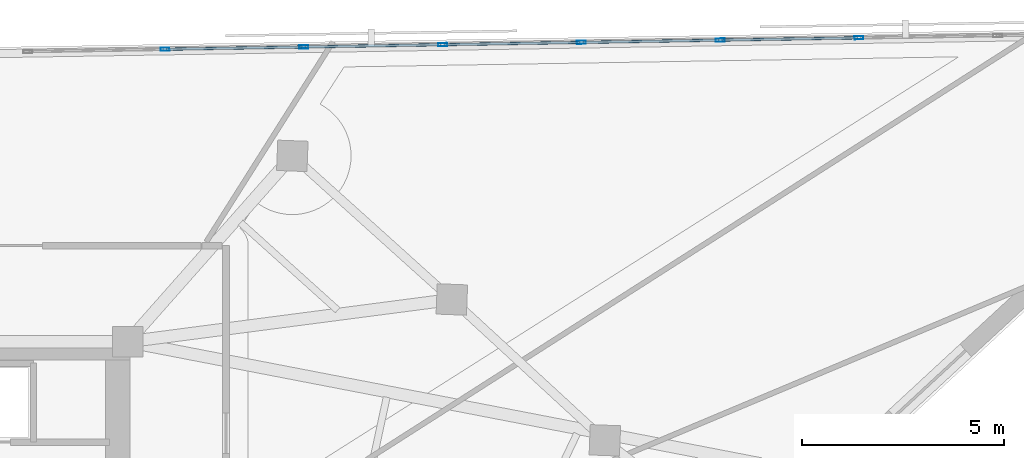
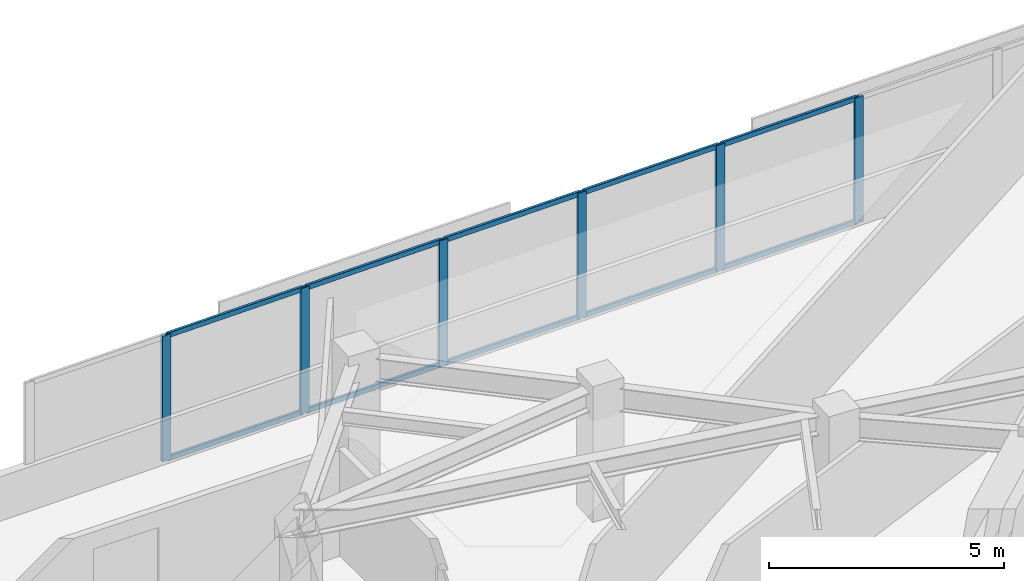
# One storey, part 5 of 13: 16 members, 1 element without a shape of its own.
"""IFC4 building model written with IfcOpenShell, lengths in metres."""

from ifc_helpers import new_model, si_unit, direction, frame, origin, origin_2d, place, context, subcontext, project, spatial, hollow_rectangle, extrude, material, material_profile, profile_set, type_object, element, aggregate, save


model = new_model("IFC4")

# Units and contexts
model_context = context("Model", 3, precision=1e-05, world=origin(), true_north=direction((0.0, 1.0)))
body_context = subcontext(model_context, "Body", "Model", "MODEL_VIEW")
ifc_project = project(units=[si_unit("LENGTHUNIT", "METRE"), si_unit("AREAUNIT", "SQUARE_METRE"), si_unit("VOLUMEUNIT", "CUBIC_METRE"), si_unit("PLANEANGLEUNIT", "RADIAN"), si_unit("MASSUNIT", "GRAM", prefix="KILO")], contexts=[model_context])

# Site, building, storey
site_placement = place(None, origin())
site = spatial("IfcSite", under=ifc_project, at=site_placement, CompositionType="ELEMENT")
building_placement = place(site_placement, origin())
building = spatial("IfcBuilding", under=site, at=building_placement, Name="Narakoshi Arena Tower", CompositionType="ELEMENT")
storey_placement = place(building_placement, frame((0.0, 0.0, 281.860107421875)))
storey = spatial("IfcBuildingStorey", under=building, at=storey_placement, Name="L77", CompositionType="ELEMENT", Elevation=281.860107421875)

# Curtain wall, members
ifc_material = material(Name="Anodised bronze aluminium 6063-T6", Category="aluminium")
curtain_wall_type = type_object("IfcCurtainWallType", Name="CW-HYP-HIGH", PredefinedType="NOTDEFINED", material=ifc_material)
curtain_wall_placement = place(storey_placement, origin())
curtain_wall = element("IfcCurtainWall", 1, at=curtain_wall_placement, inside=storey, type_object=curtain_wall_type, Name="L77 Folded Hypotenuse Curtain Wall 1-1", PredefinedType="NOTDEFINED")
ifc_material_profile_1 = material_profile(ifc_material, hollow_rectangle(XDim=0.080078125, YDim=0.219970703125, WallThickness=0.0048828125, OuterFilletRadius=0.006103515625, at=origin_2d()), Name="MUL220x80x5")
ifc_profile_set_1 = profile_set([ifc_material_profile_1], Name="Anodised bronze aluminium 6063-T6")
member_type_1 = type_object("IfcMemberType", Name="MEM-MUL-220", PredefinedType="MULLION", material=ifc_profile_set_1)
member_1_placement = place(storey_placement, frame((103.604248046875, 64.005615234375, 0.0), z_axis=(0.0, 0.0, 1.0), x_axis=(0.016442997569, -0.999864804777, 0.0)))
member_1 = element("IfcMember", 2, at=member_1_placement, type_object=member_type_1, Name="CW-03 mullion 3", PredefinedType="MULLION", context=body_context, shape_type="SweptSolid", body=[
    extrude(hollow_rectangle(XDim=0.080078125, YDim=0.219970703125, WallThickness=0.0048828125, OuterFilletRadius=0.006103515625, at=origin_2d()), origin(), (0.0, 0.0, 1.0), 3.260009765625),
])
member_2_placement = place(storey_placement, frame((100.177001953125, 63.94921875, 0.0), z_axis=(0.0, 0.0, 1.0), x_axis=(0.016442997569, -0.999864804777, 0.0)))
member_2 = element("IfcMember", 3, at=member_2_placement, type_object=member_type_1, Name="CW-03 mullion 4", PredefinedType="MULLION", context=body_context, shape_type="SweptSolid", body=[
    extrude(hollow_rectangle(XDim=0.080078125, YDim=0.219970703125, WallThickness=0.0048828125, OuterFilletRadius=0.006103515625, at=origin_2d()), origin(), (0.0, 0.0, 1.0), 3.260009765625),
])
member_3_placement = place(storey_placement, frame((96.749755859375, 63.89306640625, 0.0), z_axis=(0.0, 0.0, 1.0), x_axis=(0.016442997569, -0.999864804777, 0.0)))
member_3 = element("IfcMember", 4, at=member_3_placement, type_object=member_type_1, Name="CW-03 mullion 5", PredefinedType="MULLION", context=body_context, shape_type="SweptSolid", body=[
    extrude(hollow_rectangle(XDim=0.080078125, YDim=0.219970703125, WallThickness=0.0048828125, OuterFilletRadius=0.006103515625, at=origin_2d()), origin(), (0.0, 0.0, 1.0), 3.260009765625),
])
member_4_placement = place(storey_placement, frame((93.322509765625, 63.836669921875, 0.0), z_axis=(0.0, 0.0, 1.0), x_axis=(0.016442997569, -0.999864804777, 0.0)))
member_4 = element("IfcMember", 5, at=member_4_placement, type_object=member_type_1, Name="CW-03 mullion 6", PredefinedType="MULLION", context=body_context, shape_type="SweptSolid", body=[
    extrude(hollow_rectangle(XDim=0.080078125, YDim=0.219970703125, WallThickness=0.0048828125, OuterFilletRadius=0.006103515625, at=origin_2d()), origin(), (0.0, 0.0, 1.0), 3.260009765625),
])
member_5_placement = place(storey_placement, frame((89.895263671875, 63.7802734375, 0.0), z_axis=(0.0, 0.0, 1.0), x_axis=(0.016442997569, -0.999864804777, 0.0)))
member_5 = element("IfcMember", 6, at=member_5_placement, type_object=member_type_1, Name="CW-03 mullion 7", PredefinedType="MULLION", context=body_context, shape_type="SweptSolid", body=[
    extrude(hollow_rectangle(XDim=0.080078125, YDim=0.219970703125, WallThickness=0.0048828125, OuterFilletRadius=0.006103515625, at=origin_2d()), origin(), (0.0, 0.0, 1.0), 3.260009765625),
])
member_6_placement = place(storey_placement, frame((86.4677734375, 63.723876953125, 0.0), z_axis=(0.0, 0.0, 1.0), x_axis=(0.016442997569, -0.999864804777, 0.0)))
member_6 = element("IfcMember", 7, at=member_6_placement, type_object=member_type_1, Name="CW-03 mullion 8", PredefinedType="MULLION", context=body_context, shape_type="SweptSolid", body=[
    extrude(hollow_rectangle(XDim=0.080078125, YDim=0.219970703125, WallThickness=0.0048828125, OuterFilletRadius=0.006103515625, at=origin_2d()), origin(), (0.0, 0.0, 1.0), 3.260009765625),
])
ifc_material_profile_2 = material_profile(ifc_material, hollow_rectangle(XDim=0.06494140625, YDim=0.1298828125, WallThickness=0.00390625, OuterFilletRadius=0.0048828125, at=origin_2d()), Name="TRN130x65x4")
ifc_profile_set_2 = profile_set([ifc_material_profile_2], Name="Anodised bronze aluminium 6063-T6")
member_type_2 = type_object("IfcMemberType", Name="MEM-TRN-130", PredefinedType="USERDEFINED", material=ifc_profile_set_2)
member_7_placement = place(storey_placement, frame((103.564208984375, 64.005126953125, 0.032470703125), z_axis=(-0.999864161313, -0.016482078808, 0.0), x_axis=(0.016482078808, -0.999864161313, 0.0)))
member_7 = element("IfcMember", 8, at=member_7_placement, type_object=member_type_2, Name="CW-03 transom 3.1", ObjectType="TRANSOM", PredefinedType="USERDEFINED", context=body_context, shape_type="SweptSolid", body=[
    extrude(hollow_rectangle(XDim=0.06494140625, YDim=0.1298828125, WallThickness=0.00390625, OuterFilletRadius=0.0048828125, at=origin_2d()), origin(), (0.0, 0.0, 1.0), 3.34765625),
])
member_8_placement = place(storey_placement, frame((103.564208984375, 64.005126953125, 3.227294921875), z_axis=(-0.999864161313, -0.016482078808, 0.0), x_axis=(0.016482078808, -0.999864161313, 0.0)))
member_8 = element("IfcMember", 9, at=member_8_placement, type_object=member_type_2, Name="CW-03 transom 3.2", ObjectType="TRANSOM", PredefinedType="USERDEFINED", context=body_context, shape_type="SweptSolid", body=[
    extrude(hollow_rectangle(XDim=0.06494140625, YDim=0.1298828125, WallThickness=0.00390625, OuterFilletRadius=0.0048828125, at=origin_2d()), origin(), (0.0, 0.0, 1.0), 3.34765625),
])
member_9_placement = place(storey_placement, frame((100.136962890625, 63.94873046875, 0.032470703125), z_axis=(-0.999864161313, -0.016482078808, 0.0), x_axis=(0.016482078808, -0.999864161313, 0.0)))
member_9 = element("IfcMember", 10, at=member_9_placement, type_object=member_type_2, Name="CW-03 transom 4.1", ObjectType="TRANSOM", PredefinedType="USERDEFINED", context=body_context, shape_type="SweptSolid", body=[
    extrude(hollow_rectangle(XDim=0.06494140625, YDim=0.1298828125, WallThickness=0.00390625, OuterFilletRadius=0.0048828125, at=origin_2d()), origin(), (0.0, 0.0, 1.0), 3.34765625),
])
member_10_placement = place(storey_placement, frame((100.136962890625, 63.94873046875, 3.227294921875), z_axis=(-0.999864161313, -0.016482078808, 0.0), x_axis=(0.016482078808, -0.999864161313, 0.0)))
member_10 = element("IfcMember", 11, at=member_10_placement, type_object=member_type_2, Name="CW-03 transom 4.2", ObjectType="TRANSOM", PredefinedType="USERDEFINED", context=body_context, shape_type="SweptSolid", body=[
    extrude(hollow_rectangle(XDim=0.06494140625, YDim=0.1298828125, WallThickness=0.00390625, OuterFilletRadius=0.0048828125, at=origin_2d()), origin(), (0.0, 0.0, 1.0), 3.34765625),
])
member_11_placement = place(storey_placement, frame((96.709716796875, 63.892333984375, 0.032470703125), z_axis=(-0.999864161313, -0.016482078808, 0.0), x_axis=(0.016482078808, -0.999864161313, 0.0)))
member_11 = element("IfcMember", 12, at=member_11_placement, type_object=member_type_2, Name="CW-03 transom 5.1", ObjectType="TRANSOM", PredefinedType="USERDEFINED", context=body_context, shape_type="SweptSolid", body=[
    extrude(hollow_rectangle(XDim=0.06494140625, YDim=0.1298828125, WallThickness=0.00390625, OuterFilletRadius=0.0048828125, at=origin_2d()), origin(), (0.0, 0.0, 1.0), 3.34765625),
])
member_12_placement = place(storey_placement, frame((96.709716796875, 63.892333984375, 3.227294921875), z_axis=(-0.999864161313, -0.016482078808, 0.0), x_axis=(0.016482078808, -0.999864161313, 0.0)))
member_12 = element("IfcMember", 13, at=member_12_placement, type_object=member_type_2, Name="CW-03 transom 5.2", ObjectType="TRANSOM", PredefinedType="USERDEFINED", context=body_context, shape_type="SweptSolid", body=[
    extrude(hollow_rectangle(XDim=0.06494140625, YDim=0.1298828125, WallThickness=0.00390625, OuterFilletRadius=0.0048828125, at=origin_2d()), origin(), (0.0, 0.0, 1.0), 3.34765625),
])
member_13_placement = place(storey_placement, frame((93.282470703125, 63.8359375, 0.032470703125), z_axis=(-0.999864181123, -0.016480877028, 0.0), x_axis=(0.016480877028, -0.999864181123, 0.0)))
member_13 = element("IfcMember", 14, at=member_13_placement, type_object=member_type_2, Name="CW-03 transom 6.1", ObjectType="TRANSOM", PredefinedType="USERDEFINED", context=body_context, shape_type="SweptSolid", body=[
    extrude(hollow_rectangle(XDim=0.06494140625, YDim=0.1298828125, WallThickness=0.00390625, OuterFilletRadius=0.0048828125, at=origin_2d()), origin(), (0.0, 0.0, 1.0), 3.347900390625),
])
member_14_placement = place(storey_placement, frame((93.282470703125, 63.8359375, 3.227294921875), z_axis=(-0.999864181123, -0.016480877028, 0.0), x_axis=(0.016480877028, -0.999864181123, 0.0)))
member_14 = element("IfcMember", 15, at=member_14_placement, type_object=member_type_2, Name="CW-03 transom 6.2", ObjectType="TRANSOM", PredefinedType="USERDEFINED", context=body_context, shape_type="SweptSolid", body=[
    extrude(hollow_rectangle(XDim=0.06494140625, YDim=0.1298828125, WallThickness=0.00390625, OuterFilletRadius=0.0048828125, at=origin_2d()), origin(), (0.0, 0.0, 1.0), 3.347900390625),
])
member_15_placement = place(storey_placement, frame((89.855224609375, 63.779541015625, 0.032470703125), z_axis=(-0.999865380158, -0.01640797247, 0.0), x_axis=(0.01640797247, -0.999865380158, 0.0)))
member_15 = element("IfcMember", 16, at=member_15_placement, type_object=member_type_2, Name="CW-03 transom 7.1", ObjectType="TRANSOM", PredefinedType="USERDEFINED", context=body_context, shape_type="SweptSolid", body=[
    extrude(hollow_rectangle(XDim=0.06494140625, YDim=0.1298828125, WallThickness=0.00390625, OuterFilletRadius=0.0048828125, at=origin_2d()), origin(), (0.0, 0.0, 1.0), 3.347900390625),
])
member_16_placement = place(storey_placement, frame((89.855224609375, 63.779541015625, 3.227294921875), z_axis=(-0.999865380158, -0.01640797247, 0.0), x_axis=(0.01640797247, -0.999865380158, 0.0)))
member_16 = element("IfcMember", 17, at=member_16_placement, type_object=member_type_2, Name="CW-03 transom 7.2", ObjectType="TRANSOM", PredefinedType="USERDEFINED", context=body_context, shape_type="SweptSolid", body=[
    extrude(hollow_rectangle(XDim=0.06494140625, YDim=0.1298828125, WallThickness=0.00390625, OuterFilletRadius=0.0048828125, at=origin_2d()), origin(), (0.0, 0.0, 1.0), 3.347900390625),
])
aggregate(curtain_wall, [member_1, member_2, member_3, member_4, member_5, member_6, member_7, member_8, member_9, member_10, member_11, member_12, member_13, member_14, member_15, member_16])

save(model, "model.ifc")
